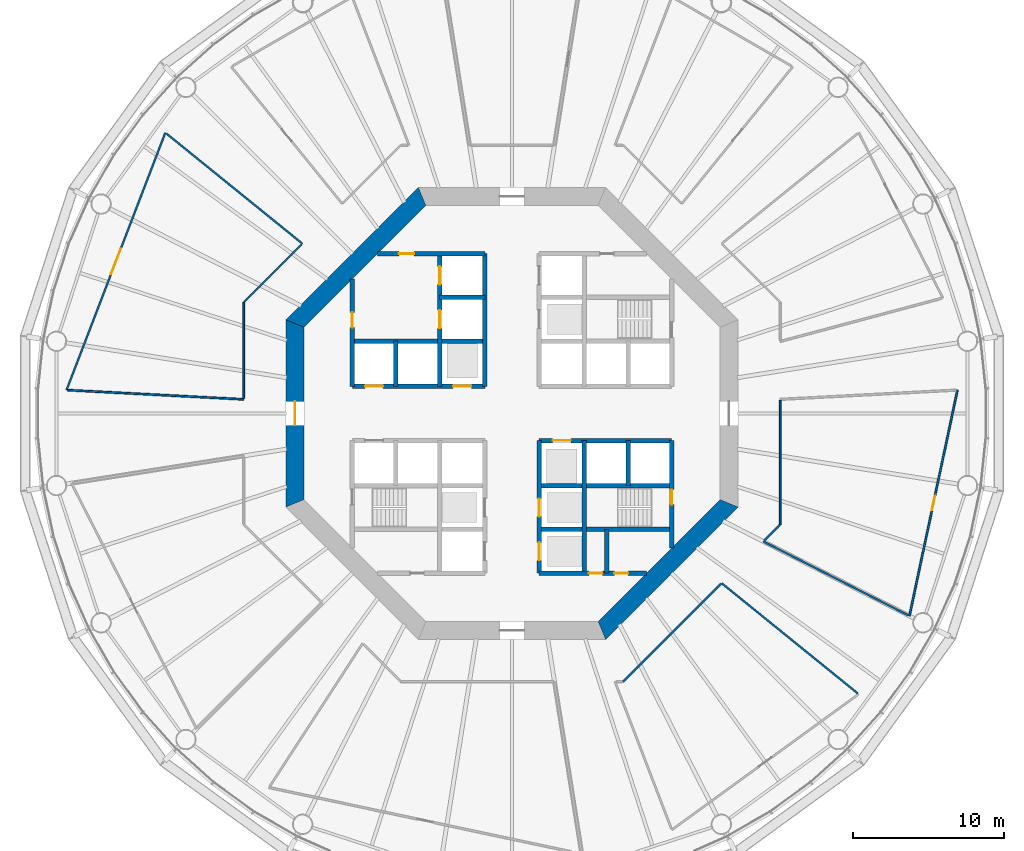
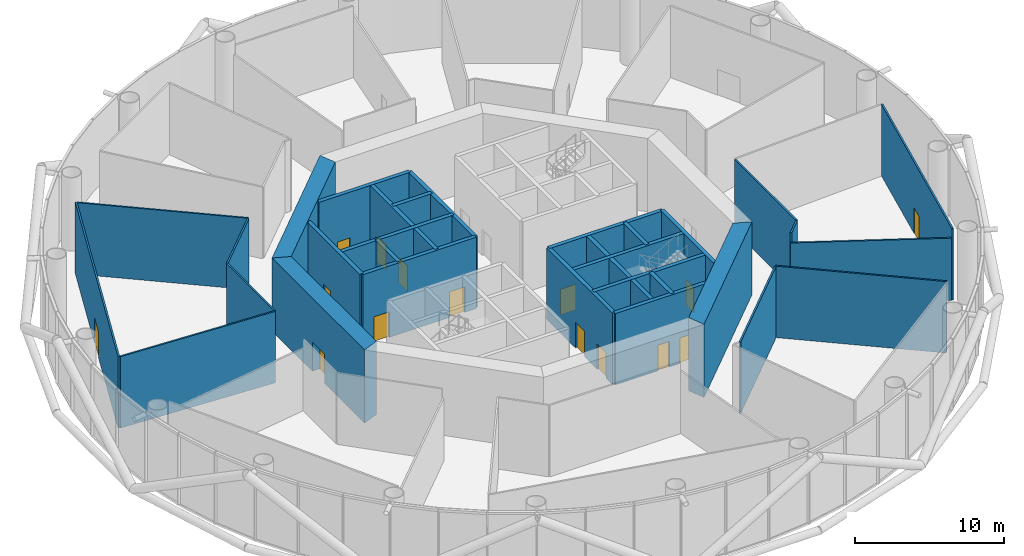
# One storey, part 4 of 14: 31 walls, 15 doors, 15 openings.
"""IFC4 building model written with IfcOpenShell, lengths in metres."""

from ifc_helpers import new_model, si_unit, direction, frame, frame_2d, origin, place, context, subcontext, project, spatial, polyline, rectangle, outline, extrude, material, layer, layer_set, type_object, element, fill, save


model = new_model("IFC4")

# Units and contexts
model_context = context("Model", 3, precision=1e-05, world=origin(), true_north=direction((0.0, 1.0)))
body_context = subcontext(model_context, "Body", "Model", "MODEL_VIEW")
ifc_project = project(units=[si_unit("LENGTHUNIT", "METRE"), si_unit("AREAUNIT", "SQUARE_METRE"), si_unit("VOLUMEUNIT", "CUBIC_METRE"), si_unit("PLANEANGLEUNIT", "RADIAN"), si_unit("MASSUNIT", "GRAM", prefix="KILO")], contexts=[model_context])

# Site, building, storey
site_placement = place(None, origin())
site = spatial("IfcSite", under=ifc_project, at=site_placement, CompositionType="ELEMENT")
building_placement = place(site_placement, origin())
building = spatial("IfcBuilding", under=site, at=building_placement, Name="Entoto Ring Tower", CompositionType="ELEMENT")
storey_placement = place(building_placement, frame((0.0, 0.0, 132.0)))
storey = spatial("IfcBuildingStorey", under=building, at=storey_placement, Name="L30", CompositionType="ELEMENT", Elevation=132.0)

# Wall, opening, door
ifc_material_1 = material(Name="Concrete C40/50", Category="concrete")
ifc_layer_1 = layer(ifc_material_1, 0.300048828125)
ifc_layer_set_1 = layer_set([ifc_layer_1], Name="Concrete C40/50")
wall_type_1 = type_object("IfcWallType", Name="Core enclosure wall 300 mm reinforced concrete", PredefinedType="SOLIDWALL", material=ifc_layer_set_1)
wall_1_placement = place(storey_placement, frame((100.60009765625, 71.083984375, 0.0), z_axis=(0.0, 0.0, 1.0), x_axis=(0.0, 1.0, 0.0)))
wall_1 = element("IfcWall", 1, at=wall_1_placement, inside=storey, type_object=wall_type_1, Name="wall-L30-001", PredefinedType="SOLIDWALL", context=body_context, shape_type="SweptSolid", body=[
    extrude(rectangle(XDim=7.115966796875, YDim=0.300048828125, at=frame_2d((3.55810546875, 0.0))), origin(), (0.0, 0.0, 1.0), 5.85009765625),
])
opening_1_placement = place(wall_1_placement, frame((2.8662109375, 0.0, 0.0)))
opening_1 = element("IfcOpeningElement", 2, at=opening_1_placement, cuts=wall_1, Name="Opening K-17", PredefinedType="OPENING", context=body_context, shape_type="SweptSolid", body=[
    extrude(rectangle(XDim=1.0, YDim=2.10009765625, at=frame_2d((0.5, 1.050048828125))), frame((0.0, 0.16015625, 0.0), z_axis=(0.0, -1.0, 0.0), x_axis=(1.0, 0.0, 0.0)), (0.0, 0.0, 1.0), 0.320068359375),
])
ifc_material_2 = material(Name="Steel door leaf, fire rated", Category="steel")
ifc_layer_2 = layer(ifc_material_2, 0.050048828125)
ifc_layer_set_2 = layer_set([ifc_layer_2], Name="Steel door leaf, fire rated")
door_type_1 = type_object("IfcDoorType", Name="Fire door FD60 1000 x 2100 single leaf", OperationType="NOTDEFINED", PredefinedType="DOOR", material=ifc_layer_set_2)
door_1_placement = place(opening_1_placement, origin())
door_1 = element("IfcDoor", 3, at=door_1_placement, inside=storey, type_object=door_type_1, Name="Door K-17", OperationType="SINGLE_SWING_RIGHT", OverallHeight=2.10009765625, OverallWidth=1.0, PredefinedType="DOOR", context=body_context, shape_type="SweptSolid", body=[
    extrude(rectangle(XDim=1.0, YDim=2.10009765625, at=frame_2d((0.5, 1.050048828125))), frame((0.0, 0.02490234375, 0.0), z_axis=(0.0, -1.0, 0.0), x_axis=(1.0, 0.0, 0.0)), (0.0, 0.0, 1.0), 0.050048828125),
])
fill(opening_1, door_1)

# Walls
wall_2_placement = place(storey_placement, frame((97.699951171875, 75.199951171875, 0.0), z_axis=(0.0, 0.0, 1.0), x_axis=(0.0, 1.0, 0.0)))
element("IfcWall", 4, at=wall_2_placement, inside=storey, type_object=wall_type_1, Name="wall-L30-003", PredefinedType="SOLIDWALL", context=body_context, shape_type="SweptSolid", body=[
    extrude(rectangle(XDim=3.0, YDim=0.300048828125, at=frame_2d((1.5, 0.0))), origin(), (0.0, 0.0, 1.0), 5.85009765625),
])
wall_3_placement = place(storey_placement, frame((96.300048828125, 69.39990234375, 0.0), z_axis=(0.0, 0.0, 1.0), x_axis=(0.0, 1.0, 0.0)))
element("IfcWall", 5, at=wall_3_placement, inside=storey, type_object=wall_type_1, Name="wall-L30-005", PredefinedType="SOLIDWALL", context=body_context, shape_type="SweptSolid", body=[
    extrude(rectangle(XDim=2.900146484375, YDim=0.300048828125, at=frame_2d((1.4501953125, 0.0))), origin(), (0.0, 0.0, 1.0), 5.85009765625),
])
wall_4_placement = place(storey_placement, frame((94.800048828125, 69.39990234375, 0.0), z_axis=(0.0, 0.0, 1.0), x_axis=(0.0, 1.0, 0.0)))
element("IfcWall", 6, at=wall_4_placement, inside=storey, type_object=wall_type_1, Name="wall-L30-006", PredefinedType="SOLIDWALL", context=body_context, shape_type="SweptSolid", body=[
    extrude(rectangle(XDim=8.800048828125, YDim=0.300048828125, at=frame_2d((4.39990234375, 0.0))), origin(), (0.0, 0.0, 1.0), 5.85009765625),
])

# Wall, openings, doors
wall_5_placement = place(storey_placement, frame((91.800048828125, 69.39990234375, 0.0), z_axis=(0.0, 0.0, 1.0), x_axis=(0.0, 1.0, 0.0)))
wall_5 = element("IfcWall", 7, at=wall_5_placement, inside=storey, type_object=wall_type_1, Name="wall-L30-008", PredefinedType="SOLIDWALL", context=body_context, shape_type="SweptSolid", body=[
    extrude(rectangle(XDim=8.800048828125, YDim=0.300048828125, at=frame_2d((4.39990234375, 0.0))), origin(), (0.0, 0.0, 1.0), 5.85009765625),
])
opening_2_placement = place(wall_5_placement, frame((3.75, 0.0, 0.0)))
opening_2 = element("IfcOpeningElement", 8, at=opening_2_placement, cuts=wall_5, Name="Opening LD", PredefinedType="OPENING", context=body_context, shape_type="SweptSolid", body=[
    extrude(rectangle(XDim=1.199951171875, YDim=2.10009765625, at=frame_2d((0.60009765625, 1.050048828125))), frame((0.0, 0.16015625, 0.0), z_axis=(0.0, -1.0, 0.0), x_axis=(1.0, 0.0, 0.0)), (0.0, 0.0, 1.0), 0.320068359375),
])
opening_3_placement = place(wall_5_placement, frame((0.85009765625, 0.0, 0.0)))
opening_3 = element("IfcOpeningElement", 9, at=opening_3_placement, cuts=wall_5, Name="Opening LD", PredefinedType="OPENING", context=body_context, shape_type="SweptSolid", body=[
    extrude(rectangle(XDim=1.199951171875, YDim=2.10009765625, at=frame_2d((0.60009765625, 1.050048828125))), frame((0.0, 0.16015625, 0.0), z_axis=(0.0, -1.0, 0.0), x_axis=(1.0, 0.0, 0.0)), (0.0, 0.0, 1.0), 0.320068359375),
])
ifc_material_3 = material(Name="Steel and glass door leaf", Category="steel")
ifc_layer_3 = layer(ifc_material_3, 0.050048828125)
ifc_layer_set_3 = layer_set([ifc_layer_3], Name="Steel and glass door leaf")
door_type_2 = type_object("IfcDoorType", Name="Landing door 1200 x 2100 sliding", OperationType="DOUBLE_DOOR_SLIDING", PredefinedType="DOOR", material=ifc_layer_set_3)
door_2_placement = place(opening_2_placement, origin())
door_2 = element("IfcDoor", 10, at=door_2_placement, inside=storey, type_object=door_type_2, Name="Landing door LB2-MR", OperationType="SLIDING_TO_RIGHT", OverallHeight=2.10009765625, OverallWidth=1.199951171875, PredefinedType="DOOR", context=body_context, shape_type="SweptSolid", body=[
    extrude(rectangle(XDim=1.199951171875, YDim=2.10009765625, at=frame_2d((0.60009765625, 1.050048828125))), frame((0.0, 0.02490234375, 0.0), z_axis=(0.0, -1.0, 0.0), x_axis=(1.0, 0.0, 0.0)), (0.0, 0.0, 1.0), 0.050048828125),
])
fill(opening_2, door_2)
door_3_placement = place(opening_3_placement, origin())
door_3 = element("IfcDoor", 11, at=door_3_placement, inside=storey, type_object=door_type_2, Name="Landing door LB3-MR", OperationType="SLIDING_TO_RIGHT", OverallHeight=2.10009765625, OverallWidth=1.199951171875, PredefinedType="DOOR", context=body_context, shape_type="SweptSolid", body=[
    extrude(rectangle(XDim=1.199951171875, YDim=2.10009765625, at=frame_2d((0.60009765625, 1.050048828125))), frame((0.0, 0.02490234375, 0.0), z_axis=(0.0, -1.0, 0.0), x_axis=(1.0, 0.0, 0.0)), (0.0, 0.0, 1.0), 0.050048828125),
])
fill(opening_3, door_3)

# Wall
wall_6_placement = place(storey_placement, frame((88.199951171875, 81.800048828125, 0.0), z_axis=(0.0, 0.0, 1.0), x_axis=(0.0, 1.0, 0.0)))
element("IfcWall", 12, at=wall_6_placement, inside=storey, type_object=wall_type_1, Name="wall-L30-011", PredefinedType="SOLIDWALL", context=body_context, shape_type="SweptSolid", body=[
    extrude(rectangle(XDim=8.800048828125, YDim=0.300048828125, at=frame_2d((4.39990234375, 0.0))), origin(), (0.0, 0.0, 1.0), 5.85009765625),
])

# Wall, openings, doors
wall_7_placement = place(storey_placement, frame((85.199951171875, 81.800048828125, 0.0), z_axis=(0.0, 0.0, 1.0), x_axis=(0.0, 1.0, 0.0)))
wall_7 = element("IfcWall", 13, at=wall_7_placement, inside=storey, type_object=wall_type_1, Name="wall-L30-013", PredefinedType="SOLIDWALL", context=body_context, shape_type="SweptSolid", body=[
    extrude(rectangle(XDim=8.800048828125, YDim=0.300048828125, at=frame_2d((4.39990234375, 0.0))), origin(), (0.0, 0.0, 1.0), 5.85009765625),
])
opening_4_placement = place(wall_7_placement, frame((3.85009765625, 0.0, 0.0)))
opening_4 = element("IfcOpeningElement", 14, at=opening_4_placement, cuts=wall_7, Name="Opening LD", PredefinedType="OPENING", context=body_context, shape_type="SweptSolid", body=[
    extrude(rectangle(XDim=1.199951171875, YDim=2.10009765625, at=frame_2d((0.60009765625, 1.050048828125))), frame((0.0, 0.16015625, 0.0), z_axis=(0.0, -1.0, 0.0), x_axis=(1.0, 0.0, 0.0)), (0.0, 0.0, 1.0), 0.320068359375),
])
opening_5_placement = place(wall_7_placement, frame((6.75, 0.0, 0.0)))
opening_5 = element("IfcOpeningElement", 15, at=opening_5_placement, cuts=wall_7, Name="Opening LD", PredefinedType="OPENING", context=body_context, shape_type="SweptSolid", body=[
    extrude(rectangle(XDim=1.199951171875, YDim=2.10009765625, at=frame_2d((0.60009765625, 1.050048828125))), frame((0.0, 0.16015625, 0.0), z_axis=(0.0, -1.0, 0.0), x_axis=(1.0, 0.0, 0.0)), (0.0, 0.0, 1.0), 0.320068359375),
])
door_4_placement = place(opening_4_placement, origin())
door_4 = element("IfcDoor", 16, at=door_4_placement, inside=storey, type_object=door_type_2, Name="Landing door FF1", OperationType="SLIDING_TO_RIGHT", OverallHeight=2.10009765625, OverallWidth=1.199951171875, PredefinedType="DOOR", context=body_context, shape_type="SweptSolid", body=[
    extrude(rectangle(XDim=1.199951171875, YDim=2.10009765625, at=frame_2d((0.60009765625, 1.050048828125))), frame((0.0, 0.02490234375, 0.0), z_axis=(0.0, -1.0, 0.0), x_axis=(1.0, 0.0, 0.0)), (0.0, 0.0, 1.0), 0.050048828125),
])
fill(opening_4, door_4)
door_5_placement = place(opening_5_placement, origin())
door_5 = element("IfcDoor", 17, at=door_5_placement, inside=storey, type_object=door_type_2, Name="Landing door FF2", OperationType="SLIDING_TO_RIGHT", OverallHeight=2.10009765625, OverallWidth=1.199951171875, PredefinedType="DOOR", context=body_context, shape_type="SweptSolid", body=[
    extrude(rectangle(XDim=1.199951171875, YDim=2.10009765625, at=frame_2d((0.60009765625, 1.050048828125))), frame((0.0, 0.02490234375, 0.0), z_axis=(0.0, -1.0, 0.0), x_axis=(1.0, 0.0, 0.0)), (0.0, 0.0, 1.0), 0.050048828125),
])
fill(opening_5, door_5)

# Wall
wall_8_placement = place(storey_placement, frame((82.300048828125, 81.800048828125, 0.0), z_axis=(0.0, 0.0, 1.0), x_axis=(0.0, 1.0, 0.0)))
element("IfcWall", 18, at=wall_8_placement, inside=storey, type_object=wall_type_1, Name="wall-L30-015", PredefinedType="SOLIDWALL", context=body_context, shape_type="SweptSolid", body=[
    extrude(rectangle(XDim=3.0, YDim=0.300048828125, at=frame_2d((1.5, 0.0))), origin(), (0.0, 0.0, 1.0), 5.85009765625),
])

# Wall, opening, door
wall_9_placement = place(storey_placement, frame((79.39990234375, 81.800048828125, 0.0), z_axis=(0.0, 0.0, 1.0), x_axis=(0.0, 1.0, 0.0)))
wall_9 = element("IfcWall", 19, at=wall_9_placement, inside=storey, type_object=wall_type_1, Name="wall-L30-017", PredefinedType="SOLIDWALL", context=body_context, shape_type="SweptSolid", body=[
    extrude(rectangle(XDim=7.115966796875, YDim=0.300048828125, at=frame_2d((3.55810546875, 0.0))), origin(), (0.0, 0.0, 1.0), 5.85009765625),
])
opening_6_placement = place(wall_9_placement, frame((3.89990234375, 0.0, 0.0)))
opening_6 = element("IfcOpeningElement", 20, at=opening_6_placement, cuts=wall_9, Name="Opening K-22", PredefinedType="OPENING", context=body_context, shape_type="SweptSolid", body=[
    extrude(rectangle(XDim=1.0, YDim=2.10009765625, at=frame_2d((0.5, 1.050048828125))), frame((0.0, 0.16015625, 0.0), z_axis=(0.0, -1.0, 0.0), x_axis=(1.0, 0.0, 0.0)), (0.0, 0.0, 1.0), 0.320068359375),
])
door_6_placement = place(opening_6_placement, frame((1.0, 0.0, 0.0), z_axis=(0.0, 0.0, 1.0), x_axis=(-1.0, 0.0, 0.0)))
door_6 = element("IfcDoor", 21, at=door_6_placement, inside=storey, type_object=door_type_1, Name="Door K-22", OperationType="SINGLE_SWING_LEFT", OverallHeight=2.10009765625, OverallWidth=1.0, PredefinedType="DOOR", context=body_context, shape_type="SweptSolid", body=[
    extrude(rectangle(XDim=1.0, YDim=2.10009765625, at=frame_2d((0.5, 1.050048828125))), frame((0.0, 0.02490234375, 0.0), z_axis=(0.0, -1.0, 0.0), x_axis=(1.0, 0.0, 0.0)), (0.0, 0.0, 1.0), 0.050048828125),
])
fill(opening_6, door_6)

# Wall, openings, doors
wall_10_placement = place(storey_placement, frame((91.800048828125, 69.39990234375, 0.0), z_axis=(0.0, 0.0, 1.0), x_axis=(1.0, 0.0, 0.0)))
wall_10 = element("IfcWall", 22, at=wall_10_placement, inside=storey, type_object=wall_type_1, Name="wall-L30-019", PredefinedType="SOLIDWALL", context=body_context, shape_type="SweptSolid", body=[
    extrude(rectangle(XDim=7.115966796875, YDim=0.300048828125, at=frame_2d((3.55810546875, 0.0))), origin(), (0.0, 0.0, 1.0), 5.85009765625),
])
opening_7_placement = place(wall_10_placement, frame((3.300048828125, 0.0, 0.0)))
opening_7 = element("IfcOpeningElement", 23, at=opening_7_placement, cuts=wall_10, Name="Opening K-63", PredefinedType="OPENING", context=body_context, shape_type="SweptSolid", body=[
    extrude(rectangle(XDim=0.89990234375, YDim=2.10009765625, at=frame_2d((0.449951171875, 1.050048828125))), frame((0.0, 0.16015625, 0.0), z_axis=(0.0, -1.0, 0.0), x_axis=(1.0, 0.0, 0.0)), (0.0, 0.0, 1.0), 0.320068359375),
])
opening_8_placement = place(wall_10_placement, frame((5.0, 0.0, 0.0)))
opening_8 = element("IfcOpeningElement", 24, at=opening_8_placement, cuts=wall_10, Name="Opening K-21", PredefinedType="OPENING", context=body_context, shape_type="SweptSolid", body=[
    extrude(rectangle(XDim=0.89990234375, YDim=2.10009765625, at=frame_2d((0.449951171875, 1.050048828125))), frame((0.0, 0.16015625, 0.0), z_axis=(0.0, -1.0, 0.0), x_axis=(1.0, 0.0, 0.0)), (0.0, 0.0, 1.0), 0.320068359375),
])
ifc_material_4 = material(Name="Steel door leaf, fire rated", Category="steel")
ifc_layer_4 = layer(ifc_material_4, 0.050048828125)
ifc_layer_set_4 = layer_set([ifc_layer_4], Name="Steel door leaf, fire rated")
door_type_3 = type_object("IfcDoorType", Name="Core door 900 x 2100 single leaf", OperationType="NOTDEFINED", PredefinedType="DOOR", material=ifc_layer_set_4)
door_7_placement = place(opening_7_placement, origin())
door_7 = element("IfcDoor", 25, at=door_7_placement, inside=storey, type_object=door_type_3, Name="Door K-63", OperationType="SINGLE_SWING_LEFT", OverallHeight=2.10009765625, OverallWidth=0.89990234375, PredefinedType="DOOR", context=body_context, shape_type="SweptSolid", body=[
    extrude(rectangle(XDim=0.89990234375, YDim=2.10009765625, at=frame_2d((0.449951171875, 1.050048828125))), frame((0.0, 0.02490234375, 0.0), z_axis=(0.0, -1.0, 0.0), x_axis=(1.0, 0.0, 0.0)), (0.0, 0.0, 1.0), 0.050048828125),
])
fill(opening_7, door_7)
door_8_placement = place(opening_8_placement, origin())
door_8 = element("IfcDoor", 26, at=door_8_placement, inside=storey, type_object=door_type_3, Name="Door K-21", OperationType="SINGLE_SWING_LEFT", OverallHeight=2.10009765625, OverallWidth=0.89990234375, PredefinedType="DOOR", context=body_context, shape_type="SweptSolid", body=[
    extrude(rectangle(XDim=0.89990234375, YDim=2.10009765625, at=frame_2d((0.449951171875, 1.050048828125))), frame((0.0, 0.02490234375, 0.0), z_axis=(0.0, -1.0, 0.0), x_axis=(1.0, 0.0, 0.0)), (0.0, 0.0, 1.0), 0.050048828125),
])
fill(opening_8, door_8)

# Walls
for number, where, z_axis, x_axis, name in (
    (27, (91.800048828125, 72.300048828125, 0.0), (0.0, 0.0, 1.0), (1.0, 0.0, 0.0), "wall-L30-021"),
    (28, (91.800048828125, 75.199951171875, 0.0), (0.0, 0.0, 1.0), (1.0, 0.0, 0.0), "wall-L30-023"),
):
    element("IfcWall", number, at=place(storey_placement, frame(where, z_axis=z_axis, x_axis=x_axis)), inside=storey, type_object=wall_type_1, Name=name, PredefinedType="SOLIDWALL", context=body_context, shape_type="SweptSolid", body=[
        extrude(rectangle(XDim=8.800048828125, YDim=0.300048828125, at=frame_2d((4.39990234375, 0.0))), origin(), (0.0, 0.0, 1.0), 5.85009765625),
    ])

# Wall, opening, door
wall_11_placement = place(storey_placement, frame((91.800048828125, 78.199951171875, 0.0), z_axis=(0.0, 0.0, 1.0), x_axis=(1.0, 0.0, 0.0)))
wall_11 = element("IfcWall", 29, at=wall_11_placement, inside=storey, type_object=wall_type_1, Name="wall-L30-025", PredefinedType="SOLIDWALL", context=body_context, shape_type="SweptSolid", body=[
    extrude(rectangle(XDim=8.800048828125, YDim=0.300048828125, at=frame_2d((4.39990234375, 0.0))), origin(), (0.0, 0.0, 1.0), 5.85009765625),
])
opening_9_placement = place(wall_11_placement, frame((0.89990234375, 0.0, 0.0)))
opening_9 = element("IfcOpeningElement", 30, at=opening_9_placement, cuts=wall_11, Name="Opening LD", PredefinedType="OPENING", context=body_context, shape_type="SweptSolid", body=[
    extrude(rectangle(XDim=1.199951171875, YDim=2.10009765625, at=frame_2d((0.60009765625, 1.050048828125))), frame((0.0, 0.16015625, 0.0), z_axis=(0.0, -1.0, 0.0), x_axis=(1.0, 0.0, 0.0)), (0.0, 0.0, 1.0), 0.320068359375),
])
door_9_placement = place(opening_9_placement, origin())
door_9 = element("IfcDoor", 31, at=door_9_placement, inside=storey, type_object=door_type_2, Name="Landing door LB6-MR", OperationType="SLIDING_TO_LEFT", OverallHeight=2.10009765625, OverallWidth=1.199951171875, PredefinedType="DOOR", context=body_context, shape_type="SweptSolid", body=[
    extrude(rectangle(XDim=1.199951171875, YDim=2.10009765625, at=frame_2d((0.60009765625, 1.050048828125))), frame((0.0, 0.02490234375, 0.0), z_axis=(0.0, -1.0, 0.0), x_axis=(1.0, 0.0, 0.0)), (0.0, 0.0, 1.0), 0.050048828125),
])
fill(opening_9, door_9)

# Wall, openings, doors
wall_12_placement = place(storey_placement, frame((79.39990234375, 81.800048828125, 0.0), z_axis=(0.0, 0.0, 1.0), x_axis=(1.0, 0.0, 0.0)))
wall_12 = element("IfcWall", 32, at=wall_12_placement, inside=storey, type_object=wall_type_1, Name="wall-L30-026", PredefinedType="SOLIDWALL", context=body_context, shape_type="SweptSolid", body=[
    extrude(rectangle(XDim=8.800048828125, YDim=0.300048828125, at=frame_2d((4.39990234375, 0.0))), origin(), (0.0, 0.0, 1.0), 5.85009765625),
])
opening_10_placement = place(wall_12_placement, frame((6.699951171875, 0.0, 0.0)))
opening_10 = element("IfcOpeningElement", 33, at=opening_10_placement, cuts=wall_12, Name="Opening LD", PredefinedType="OPENING", context=body_context, shape_type="SweptSolid", body=[
    extrude(rectangle(XDim=1.199951171875, YDim=2.10009765625, at=frame_2d((0.60009765625, 1.050048828125))), frame((0.0, 0.16015625, 0.0), z_axis=(0.0, -1.0, 0.0), x_axis=(1.0, 0.0, 0.0)), (0.0, 0.0, 1.0), 0.320068359375),
])
opening_11_placement = place(wall_12_placement, frame((0.85009765625, 0.0, 0.0)))
opening_11 = element("IfcOpeningElement", 34, at=opening_11_placement, cuts=wall_12, Name="Opening LD", PredefinedType="OPENING", context=body_context, shape_type="SweptSolid", body=[
    extrude(rectangle(XDim=1.199951171875, YDim=2.10009765625, at=frame_2d((0.60009765625, 1.050048828125))), frame((0.0, 0.16015625, 0.0), z_axis=(0.0, -1.0, 0.0), x_axis=(1.0, 0.0, 0.0)), (0.0, 0.0, 1.0), 0.320068359375),
])
door_10_placement = place(opening_10_placement, origin())
door_10 = element("IfcDoor", 35, at=door_10_placement, inside=storey, type_object=door_type_2, Name="Landing door LB5-MR", OperationType="SLIDING_TO_LEFT", OverallHeight=2.10009765625, OverallWidth=1.199951171875, PredefinedType="DOOR", context=body_context, shape_type="SweptSolid", body=[
    extrude(rectangle(XDim=1.199951171875, YDim=2.10009765625, at=frame_2d((0.60009765625, 1.050048828125))), frame((0.0, 0.02490234375, 0.0), z_axis=(0.0, -1.0, 0.0), x_axis=(1.0, 0.0, 0.0)), (0.0, 0.0, 1.0), 0.050048828125),
])
fill(opening_10, door_10)
door_11_placement = place(opening_11_placement, origin())
door_11 = element("IfcDoor", 36, at=door_11_placement, inside=storey, type_object=door_type_2, Name="Landing door SH1", OperationType="SLIDING_TO_RIGHT", OverallHeight=2.10009765625, OverallWidth=1.199951171875, PredefinedType="DOOR", context=body_context, shape_type="SweptSolid", body=[
    extrude(rectangle(XDim=1.199951171875, YDim=2.10009765625, at=frame_2d((0.60009765625, 1.050048828125))), frame((0.0, 0.02490234375, 0.0), z_axis=(0.0, -1.0, 0.0), x_axis=(1.0, 0.0, 0.0)), (0.0, 0.0, 1.0), 0.050048828125),
])
fill(opening_11, door_11)

# Walls
wall_13_placement = place(storey_placement, frame((79.39990234375, 84.800048828125, 0.0), z_axis=(0.0, 0.0, 1.0), x_axis=(1.0, 0.0, 0.0)))
element("IfcWall", 37, at=wall_13_placement, inside=storey, type_object=wall_type_1, Name="wall-L30-028", PredefinedType="SOLIDWALL", context=body_context, shape_type="SweptSolid", body=[
    extrude(rectangle(XDim=8.800048828125, YDim=0.300048828125, at=frame_2d((4.39990234375, 0.0))), origin(), (0.0, 0.0, 1.0), 5.85009765625),
])
wall_14_placement = place(storey_placement, frame((85.199951171875, 87.699951171875, 0.0), z_axis=(0.0, 0.0, 1.0), x_axis=(1.0, 0.0, 0.0)))
element("IfcWall", 38, at=wall_14_placement, inside=storey, type_object=wall_type_1, Name="wall-L30-030", PredefinedType="SOLIDWALL", context=body_context, shape_type="SweptSolid", body=[
    extrude(rectangle(XDim=3.0, YDim=0.300048828125, at=frame_2d((1.5, 0.0))), origin(), (0.0, 0.0, 1.0), 5.85009765625),
])

# Wall, opening, door
wall_15_placement = place(storey_placement, frame((81.083984375, 90.60009765625, 0.0), z_axis=(0.0, 0.0, 1.0), x_axis=(1.0, 0.0, 0.0)))
wall_15 = element("IfcWall", 39, at=wall_15_placement, inside=storey, type_object=wall_type_1, Name="wall-L30-032", PredefinedType="SOLIDWALL", context=body_context, shape_type="SweptSolid", body=[
    extrude(rectangle(XDim=7.115966796875, YDim=0.300048828125, at=frame_2d((3.55810546875, 0.0))), origin(), (0.0, 0.0, 1.0), 5.85009765625),
])
opening_12_placement = place(wall_15_placement, frame((1.416015625, 0.0, 0.0)))
opening_12 = element("IfcOpeningElement", 40, at=opening_12_placement, cuts=wall_15, Name="Opening K-23", PredefinedType="OPENING", context=body_context, shape_type="SweptSolid", body=[
    extrude(rectangle(XDim=1.0, YDim=2.10009765625, at=frame_2d((0.5, 1.050048828125))), frame((0.0, 0.16015625, 0.0), z_axis=(0.0, -1.0, 0.0), x_axis=(1.0, 0.0, 0.0)), (0.0, 0.0, 1.0), 0.320068359375),
])
door_12_placement = place(opening_12_placement, frame((1.0, 0.0, 0.0), z_axis=(0.0, 0.0, 1.0), x_axis=(-1.0, 0.0, 0.0)))
door_12 = element("IfcDoor", 41, at=door_12_placement, inside=storey, type_object=door_type_1, Name="Door K-23", OperationType="SINGLE_SWING_RIGHT", OverallHeight=2.10009765625, OverallWidth=1.0, PredefinedType="DOOR", context=body_context, shape_type="SweptSolid", body=[
    extrude(rectangle(XDim=1.0, YDim=2.10009765625, at=frame_2d((0.5, 1.050048828125))), frame((0.0, 0.02490234375, 0.0), z_axis=(0.0, -1.0, 0.0), x_axis=(1.0, 0.0, 0.0)), (0.0, 0.0, 1.0), 0.050048828125),
])
fill(opening_12, door_12)

# Wall
ifc_material_5 = material(Name="Concrete C60/75", Category="concrete")
ifc_layer_5 = layer(ifc_material_5, 1.199951171875)
ifc_layer_set_5 = layer_set([ifc_layer_5], Name="Concrete C60/75")
wall_type_2 = type_object("IfcWallType", Name="Core shear wall 1200 mm reinforced concrete C60/75", PredefinedType="SHEAR", material=ifc_layer_set_5)
wall_16_placement = place(storey_placement, frame((84.035400390625, 94.39990234375, 0.0), z_axis=(0.0, 0.0, 1.0), x_axis=(-0.707106781187, -0.707106781187, 0.0)))
element("IfcWall", 42, at=wall_16_placement, inside=storey, type_object=wall_type_2, Name="wall-L30-core-3", PredefinedType="SHEAR", context=body_context, shape_type="SweptSolid", body=[
    extrude(outline(polyline([(-0.24853515625, -0.60009765625), (12.177734375, -0.60009765625), (11.6806640625, 0.60009765625), (0.24853515625, 0.60009765625), (-0.24853515625, -0.60009765625)])), origin(), (0.0, 0.0, 1.0), 6.0),
])

# Wall, opening, door
wall_17_placement = place(storey_placement, frame((75.60009765625, 85.964599609375, 0.0), z_axis=(0.0, 0.0, 1.0), x_axis=(0.0, -1.0, 0.0)))
wall_17 = element("IfcWall", 43, at=wall_17_placement, inside=storey, type_object=wall_type_2, Name="wall-L30-core-4", PredefinedType="SHEAR", context=body_context, shape_type="SweptSolid", body=[
    extrude(outline(polyline([(-0.24853515625, -0.60009765625), (12.177734375, -0.60009765625), (11.6806640625, 0.60009765625), (0.24853515625, 0.60009765625), (-0.24853515625, -0.60009765625)])), origin(), (0.0, 0.0, 1.0), 6.0),
])
opening_13_placement = place(wall_17_placement, frame((5.164794921875, 0.0, 0.0)))
opening_13 = element("IfcOpeningElement", 44, at=opening_13_placement, cuts=wall_17, Name="Opening K-03", PredefinedType="OPENING", context=body_context, shape_type="SweptSolid", body=[
    extrude(rectangle(XDim=1.60009765625, YDim=2.39990234375, at=frame_2d((0.800048828125, 1.199951171875))), frame((0.0, 0.60986328125, 0.0), z_axis=(0.0, -1.0, 0.0), x_axis=(1.0, 0.0, 0.0)), (0.0, 0.0, 1.0), 1.219970703125),
])
ifc_material_6 = material(Name="Steel door leaf, fire rated", Category="steel")
ifc_layer_6 = layer(ifc_material_6, 0.050048828125)
ifc_layer_set_6 = layer_set([ifc_layer_6], Name="Steel door leaf, fire rated")
door_type_4 = type_object("IfcDoorType", Name="Entrance door FD60 1600 x 2400 double leaf", OperationType="DOUBLE_DOOR_SINGLE_SWING", PredefinedType="DOOR", material=ifc_layer_set_6)
door_13_placement = place(opening_13_placement, origin())
door_13 = element("IfcDoor", 45, at=door_13_placement, inside=storey, type_object=door_type_4, Name="Entrance door K-03", OperationType="DOUBLE_DOOR_SINGLE_SWING", OverallHeight=2.39990234375, OverallWidth=1.60009765625, PredefinedType="DOOR", context=body_context, shape_type="SweptSolid", body=[
    extrude(rectangle(XDim=1.60009765625, YDim=2.39990234375, at=frame_2d((0.800048828125, 1.199951171875))), frame((0.0, 0.02490234375, 0.0), z_axis=(0.0, -1.0, 0.0), x_axis=(1.0, 0.0, 0.0)), (0.0, 0.0, 1.0), 0.050048828125),
])
fill(opening_13, door_13)

# Wall
wall_18_placement = place(storey_placement, frame((95.964599609375, 65.60009765625, 0.0), z_axis=(0.0, 0.0, 1.0), x_axis=(0.707106781187, 0.707106781187, 0.0)))
element("IfcWall", 46, at=wall_18_placement, inside=storey, type_object=wall_type_2, Name="wall-L30-core-7", PredefinedType="SHEAR", context=body_context, shape_type="SweptSolid", body=[
    extrude(outline(polyline([(-0.24853515625, -0.60009765625), (12.177734375, -0.60009765625), (11.6806640625, 0.60009765625), (0.24853515625, 0.60009765625), (-0.24853515625, -0.60009765625)])), origin(), (0.0, 0.0, 1.0), 6.0),
])

# Wall, opening, door
ifc_material_7 = material(Name="Fire-resisting plasterboard on steel studs", Category="steel")
ifc_layer_7 = layer(ifc_material_7, 0.125)
ifc_layer_set_7 = layer_set([ifc_layer_7], Name="Fire-resisting plasterboard on steel studs")
wall_type_3 = type_object("IfcWallType", Name="Corridor wall 125 mm one-hour plasterboard on steel studs", PredefinedType="PARTITIONING", material=ifc_layer_set_7)
wall_19_placement = place(storey_placement, frame((60.440673828125, 81.549072265625, 0.0), z_axis=(0.0, 0.0, 1.0), x_axis=(0.358365523545, 0.933581357748, 0.0)))
wall_19 = element("IfcWall", 47, at=wall_19_placement, inside=storey, type_object=wall_type_3, Name="partition-L30-002", PredefinedType="PARTITIONING", context=body_context, shape_type="SweptSolid", body=[
    extrude(rectangle(XDim=18.2939453125, YDim=0.125, at=frame_2d((9.14697265625, 0.0))), origin(), (0.0, 0.0, 1.0), 5.85009765625),
])
opening_14_placement = place(wall_19_placement, frame((8.246826171875, 0.0, 0.0)))
opening_14 = element("IfcOpeningElement", 48, at=opening_14_placement, cuts=wall_19, Name="Opening A13-D05", PredefinedType="OPENING", context=body_context, shape_type="SweptSolid", body=[
    extrude(rectangle(XDim=1.800048828125, YDim=2.10009765625, at=frame_2d((0.89990234375, 1.050048828125))), frame((0.0, 0.072509765625, 0.0), z_axis=(0.0, -1.0, 0.0), x_axis=(1.0, 0.0, 0.0)), (0.0, 0.0, 1.0), 0.14501953125),
])
ifc_material_8 = material(Name="Fire-resisting timber door set", Category="wood")
door_type_5 = type_object("IfcDoorType", Name="Door 1800 x 2100 double leaf FD30S fire door", OperationType="DOUBLE_DOOR_SINGLE_SWING", PredefinedType="DOOR", material=ifc_material_8)
door_14_placement = place(opening_14_placement, frame((1.800048828125, 0.0, 0.0), z_axis=(0.0, 0.0, 1.0), x_axis=(-1.0, 0.0, 0.0)))
door_14 = element("IfcDoor", 49, at=door_14_placement, inside=storey, type_object=door_type_5, Name="Door A13-D05", OperationType="DOUBLE_DOOR_SINGLE_SWING", OverallHeight=2.10009765625, OverallWidth=1.800048828125, PredefinedType="DOOR", context=body_context, shape_type="SweptSolid", body=[
    extrude(rectangle(XDim=1.800048828125, YDim=2.10009765625, at=frame_2d((0.89990234375, 1.050048828125))), frame((0.0, 0.02490234375, 0.0), z_axis=(0.0, -1.0, 0.0), x_axis=(1.0, 0.0, 0.0)), (0.0, 0.0, 1.0), 0.050048828125),
])
fill(opening_14, door_14)

wall_20_placement = place(storey_placement, frame((116.373779296875, 66.56201171875, 0.0), z_axis=(0.0, 0.0, 1.0), x_axis=(0.207908494613, 0.978148280103, 0.0)))
wall_20 = element("IfcWall", 50, at=wall_20_placement, inside=storey, type_object=wall_type_3, Name="partition-L30-004", PredefinedType="PARTITIONING", context=body_context, shape_type="SweptSolid", body=[
    extrude(rectangle(XDim=15.32177734375, YDim=0.125, at=frame_2d((7.660888671875, 0.0))), origin(), (0.0, 0.0, 1.0), 5.85009765625),
])
opening_15_placement = place(wall_20_placement, frame((7.160888671875, 0.0, 0.0)))
opening_15 = element("IfcOpeningElement", 51, at=opening_15_placement, cuts=wall_20, Name="Opening A13-D09", PredefinedType="OPENING", context=body_context, shape_type="SweptSolid", body=[
    extrude(rectangle(XDim=1.0, YDim=2.10009765625, at=frame_2d((0.5, 1.050048828125))), frame((0.0, 0.072509765625, 0.0), z_axis=(0.0, -1.0, 0.0), x_axis=(1.0, 0.0, 0.0)), (0.0, 0.0, 1.0), 0.14501953125),
])
ifc_material_9 = material(Name="Fire-resisting timber door set", Category="wood")
door_type_6 = type_object("IfcDoorType", Name="Door 1000 x 2100 single leaf FD30S fire door", OperationType="NOTDEFINED", PredefinedType="DOOR", material=ifc_material_9)
door_15_placement = place(opening_15_placement, origin())
door_15 = element("IfcDoor", 52, at=door_15_placement, inside=storey, type_object=door_type_6, Name="Door A13-D09", OperationType="SINGLE_SWING_LEFT", OverallHeight=2.10009765625, OverallWidth=1.0, PredefinedType="DOOR", context=body_context, shape_type="SweptSolid", body=[
    extrude(rectangle(XDim=1.0, YDim=2.10009765625, at=frame_2d((0.5, 1.050048828125))), frame((0.0, 0.02490234375, 0.0), z_axis=(0.0, -1.0, 0.0), x_axis=(1.0, 0.0, 0.0)), (0.0, 0.0, 1.0), 0.050048828125),
])
fill(opening_15, door_15)

# Walls
wall_21_placement = place(storey_placement, frame((72.199951171875, 80.932861328125, 0.0), z_axis=(0.0, 0.0, 1.0), x_axis=(-0.998629401545, 0.052338497967, 0.0)))
element("IfcWall", 53, at=wall_21_placement, inside=storey, type_object=wall_type_3, Name="partition-L30-008", PredefinedType="PARTITIONING", context=body_context, shape_type="SweptSolid", body=[
    extrude(rectangle(XDim=11.689697265625, YDim=0.125, at=frame_2d((5.8447265625, 0.0))), origin(), (0.0, 0.0, 1.0), 5.85009765625),
])
wall_22_placement = place(storey_placement, frame((76.090576171875, 91.263671875, 0.0), z_axis=(0.0, 0.0, 1.0), x_axis=(-0.777151865927, 0.629313099567, 0.0)))
element("IfcWall", 54, at=wall_22_placement, inside=storey, type_object=wall_type_3, Name="partition-L30-010", PredefinedType="PARTITIONING", context=body_context, shape_type="SweptSolid", body=[
    extrude(rectangle(XDim=11.615966796875, YDim=0.125, at=frame_2d((5.80810546875, 0.0))), origin(), (0.0, 0.0, 1.0), 5.85009765625),
])
wall_23_placement = place(storey_placement, frame((112.940185546875, 61.42333984375, 0.0), z_axis=(0.0, 0.0, 1.0), x_axis=(-0.777145050945, 0.629321515437, 0.0)))
element("IfcWall", 55, at=wall_23_placement, inside=storey, type_object=wall_type_3, Name="partition-L30-014", PredefinedType="PARTITIONING", context=body_context, shape_type="SweptSolid", body=[
    extrude(rectangle(XDim=11.620361328125, YDim=0.125, at=frame_2d((5.81005859375, 0.0))), origin(), (0.0, 0.0, 1.0), 5.85009765625),
])
wall_24_placement = place(storey_placement, frame((97.373046875, 62.199951171875, 0.0), z_axis=(0.0, 0.0, 1.0), x_axis=(0.707106781187, 0.707106781187, 0.0)))
element("IfcWall", 56, at=wall_24_placement, inside=storey, type_object=wall_type_3, Name="partition-L30-029", PredefinedType="PARTITIONING", context=body_context, shape_type="SweptSolid", body=[
    extrude(rectangle(XDim=9.181640625, YDim=0.125, at=frame_2d((4.5908203125, 0.0))), origin(), (0.0, 0.0, 1.0), 5.85009765625),
])
wall_25_placement = place(storey_placement, frame((107.800048828125, 72.626953125, 0.0), z_axis=(0.0, 0.0, 1.0), x_axis=(0.0, 1.0, 0.0)))
element("IfcWall", 57, at=wall_25_placement, inside=storey, type_object=wall_type_3, Name="partition-L30-030", PredefinedType="PARTITIONING", context=body_context, shape_type="SweptSolid", body=[
    extrude(rectangle(XDim=8.243408203125, YDim=0.125, at=frame_2d((4.12158203125, 0.0))), origin(), (0.0, 0.0, 1.0), 5.85009765625),
])
wall_26_placement = place(storey_placement, frame((72.199951171875, 80.998779296875, 0.0), z_axis=(0.0, 0.0, 1.0), x_axis=(0.0, 1.0, 0.0)))
element("IfcWall", 58, at=wall_26_placement, inside=storey, type_object=wall_type_3, Name="partition-L30-032", PredefinedType="PARTITIONING", context=body_context, shape_type="SweptSolid", body=[
    extrude(rectangle(XDim=6.374267578125, YDim=0.125, at=frame_2d((3.18701171875, 0.0))), origin(), (0.0, 0.0, 1.0), 5.85009765625),
])
wall_27_placement = place(storey_placement, frame((72.231201171875, 87.404052734375, 0.0), z_axis=(0.0, 0.0, 1.0), x_axis=(0.707084128036, 0.707129433612, 0.0)))
element("IfcWall", 59, at=wall_27_placement, inside=storey, type_object=wall_type_3, Name="partition-L30-034", PredefinedType="PARTITIONING", context=body_context, shape_type="SweptSolid", body=[
    extrude(rectangle(XDim=5.388671875, YDim=0.125, at=frame_2d((2.6943359375, 0.0))), origin(), (0.0, 0.0, 1.0), 5.85009765625),
])
wall_28_placement = place(storey_placement, frame((106.73681640625, 71.563720703125, 0.0), z_axis=(0.0, 0.0, 1.0), x_axis=(0.707023144452, 0.70719040803, 0.0)))
element("IfcWall", 60, at=wall_28_placement, inside=storey, type_object=wall_type_3, Name="partition-L30-041", PredefinedType="PARTITIONING", context=body_context, shape_type="SweptSolid", body=[
    extrude(rectangle(XDim=1.459716796875, YDim=0.125, at=frame_2d((0.72998046875, 0.0))), origin(), (0.0, 0.0, 1.0), 5.85009765625),
])
ifc_material_10 = material(Name="Fire-resisting plasterboard on steel studs", Category="steel")
ifc_layer_8 = layer(ifc_material_10, 0.125)
ifc_layer_set_8 = layer_set([ifc_layer_8], Name="Fire-resisting plasterboard on steel studs")
wall_type_4 = type_object("IfcWallType", Name="Corridor wall 125 mm one-hour plasterboard on steel studs, 5097 mm high", PredefinedType="PARTITIONING", material=ifc_layer_set_8)
wall_29_placement = place(storey_placement, frame((116.30126953125, 66.598876953125, 0.0), z_axis=(0.0, 0.0, 1.0), x_axis=(-0.891006897601, 0.453989766874, 0.0)))
element("IfcWall", 61, at=wall_29_placement, inside=storey, type_object=wall_type_4, Name="partition-L30-021", PredefinedType="PARTITIONING", context=body_context, shape_type="SweptSolid", body=[
    extrude(rectangle(XDim=10.802734375, YDim=0.125, at=frame_2d((5.4013671875, 0.0))), origin(), (0.0, 0.0, 1.0), 5.096923828125),
])

save(model, "model.ifc")
